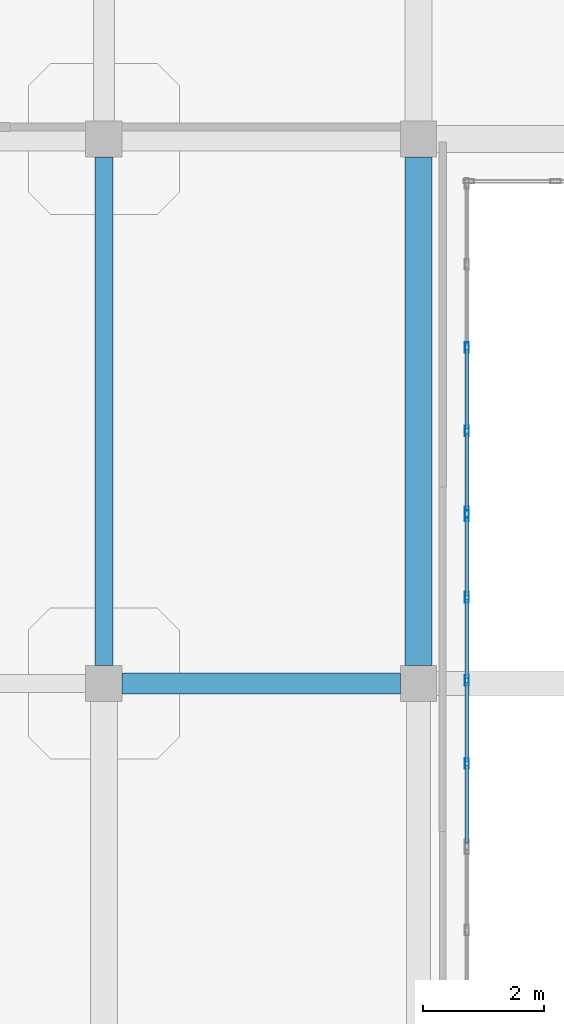
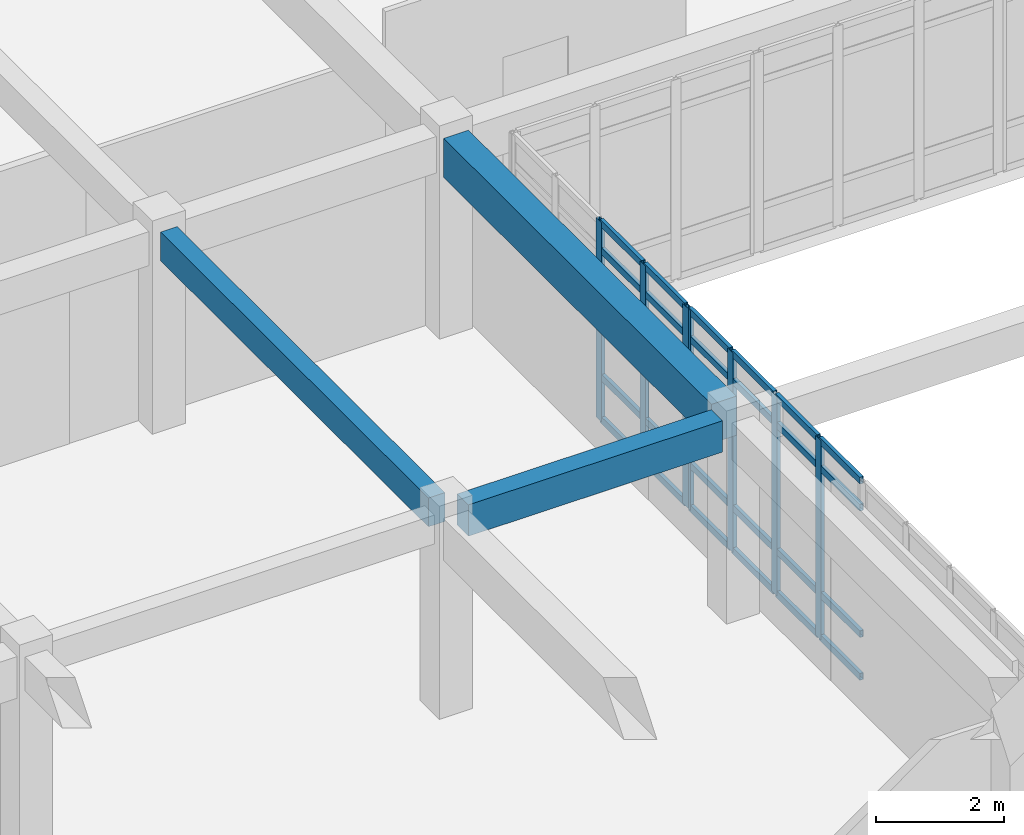
# One storey, part 95 of 146: 31 members, 3 beams, 2 elements without a shape of their own.
"""IFC4 building model written with IfcOpenShell, lengths in metres."""

from ifc_helpers import new_model, si_unit, direction, frame, origin, origin_2d, place, context, subcontext, project, spatial, rectangle, hollow_rectangle, extrude, material, layer, layer_set, material_profile, profile_set, type_object, element, aggregate, save


model = new_model("IFC4")

# Units and contexts
model_context = context("Model", 3, precision=1e-05, world=origin(), true_north=direction((0.0, 1.0)))
body_context = subcontext(model_context, "Body", "Model", "MODEL_VIEW")
ifc_project = project(units=[si_unit("LENGTHUNIT", "METRE"), si_unit("AREAUNIT", "SQUARE_METRE"), si_unit("VOLUMEUNIT", "CUBIC_METRE"), si_unit("PLANEANGLEUNIT", "RADIAN"), si_unit("MASSUNIT", "GRAM", prefix="KILO")], contexts=[model_context])

# Site, building, storey
site_placement = place(None, origin())
site = spatial("IfcSite", under=ifc_project, at=site_placement, CompositionType="ELEMENT")
building_placement = place(site_placement, origin())
building = spatial("IfcBuilding", under=site, at=building_placement, Name="Valcora Specialist Clinic", CompositionType="ELEMENT")
storey_placement = place(building_placement, frame((0.0, 0.0, 9.52001953125)))
storey = spatial("IfcBuildingStorey", under=building, at=storey_placement, Name="L02", CompositionType="ELEMENT", Elevation=9.52001953125)

# Beams
ifc_material_1 = material(Name="Concrete C40/50", Category="concrete")
ifc_material_profile_1 = material_profile(ifc_material_1, rectangle(XDim=0.300048828125, YDim=0.550048828125, at=origin_2d()), Name="RC-BM-300X550")
ifc_profile_set_1 = profile_set([ifc_material_profile_1], Name="Concrete C40/50")
beam_type_1 = type_object("IfcBeamType", Name="TY-BM-RC300X550", PredefinedType="BEAM", material=ifc_profile_set_1)
beam_1_placement = place(storey_placement, frame((106.0, 90.5, 3.544921875), z_axis=(0.0, 1.0, 0.0), x_axis=(-1.0, 0.0, 0.0)))
element("IfcBeam", 1, at=beam_1_placement, inside=storey, type_object=beam_type_1, Name="Beam BM-L02-0755", PredefinedType="BEAM", context=body_context, shape_type="SweptSolid", body=[
    extrude(rectangle(XDim=0.300048828125, YDim=0.550048828125, at=origin_2d()), origin(), (0.0, 0.0, 1.0), 8.39990234375),
])
ifc_material_profile_2 = material_profile(ifc_material_1, rectangle(XDim=0.35009765625, YDim=0.60009765625, at=origin_2d()), Name="RC-BM-350X600")
ifc_profile_set_2 = profile_set([ifc_material_profile_2], Name="Concrete C40/50")
beam_type_2 = type_object("IfcBeamType", Name="TY-BM-RC350X600", PredefinedType="BEAM", material=ifc_profile_set_2)
beam_2_placement = place(storey_placement, frame((106.300048828125, 90.199951171875, 3.52001953125), z_axis=(1.0, 0.0, 0.0), x_axis=(0.0, 1.0, 0.0)))
element("IfcBeam", 2, at=beam_2_placement, inside=storey, type_object=beam_type_2, Name="Beam BM-L02-0716", PredefinedType="BEAM", context=body_context, shape_type="SweptSolid", body=[
    extrude(rectangle(XDim=0.35009765625, YDim=0.60009765625, at=origin_2d()), origin(), (0.0, 0.0, 1.0), 4.599853515625),
])
ifc_material_profile_3 = material_profile(ifc_material_1, rectangle(XDim=0.449951171875, YDim=0.75, at=origin_2d()), Name="RC-BM-450X750")
ifc_profile_set_3 = profile_set([ifc_material_profile_3], Name="Concrete C40/50")
beam_type_3 = type_object("IfcBeamType", Name="TY-BM-RC450X750", PredefinedType="BEAM", material=ifc_profile_set_3)
beam_3_placement = place(storey_placement, frame((111.199951171875, 90.5, 3.445068359375), z_axis=(0.0, 1.0, 0.0), x_axis=(-1.0, 0.0, 0.0)))
element("IfcBeam", 3, at=beam_3_placement, inside=storey, type_object=beam_type_3, Name="Beam BM-L02-0759", PredefinedType="BEAM", context=body_context, shape_type="SweptSolid", body=[
    extrude(rectangle(XDim=0.449951171875, YDim=0.75, at=origin_2d()), origin(), (0.0, 0.0, 1.0), 8.39990234375),
])

# Curtain wall, members
ifc_material_2 = material(Name="Anodized Bronze Aluminium 6063-T6", Category="aluminium")
ifc_layer = layer(ifc_material_2, 0.175048828125)
ifc_layer_set = layer_set([ifc_layer], Name="Anodized Bronze Aluminium 6063-T6")
curtain_wall_type = type_object("IfcCurtainWallType", Name="TY-CW-CRT15", PredefinedType="NOTDEFINED", material=ifc_layer_set)
curtain_wall_1_placement = place(storey_placement, origin())
curtain_wall_1 = element("IfcCurtainWall", 4, at=curtain_wall_1_placement, inside=storey, type_object=curtain_wall_type, Name="Curtain wall CW-L02-114", PredefinedType="NOTDEFINED")
ifc_material_profile_4 = material_profile(ifc_material_2, hollow_rectangle(XDim=0.06494140625, YDim=0.175048828125, WallThickness=0.00390625, at=origin_2d()), Name="AL-MUL-65X175")
ifc_profile_set_4 = profile_set([ifc_material_profile_4], Name="Anodized Bronze Aluminium 6063-T6")
member_type_1 = type_object("IfcMemberType", Name="TY-CWM-65X175", PredefinedType="MULLION", material=ifc_profile_set_4)
member_1_placement = place(storey_placement, frame((112.0, 95.75, 0.0), z_axis=(0.0, 0.0, 1.0), x_axis=(1.0, 0.0, 0.0)))
member_1 = element("IfcMember", 5, at=member_1_placement, type_object=member_type_1, Name="CW-CRT-15 mullion 3", PredefinedType="MULLION", context=body_context, shape_type="SweptSolid", body=[
    extrude(hollow_rectangle(XDim=0.06494140625, YDim=0.175048828125, WallThickness=0.00390625, at=origin_2d()), origin(), (0.0, 0.0, 1.0), 3.820068359375),
])
member_2_placement = place(storey_placement, frame((112.0, 94.375, 0.0), z_axis=(0.0, 0.0, 1.0), x_axis=(1.0, 0.0, 0.0)))
member_2 = element("IfcMember", 6, at=member_2_placement, type_object=member_type_1, Name="CW-CRT-15 mullion 4", PredefinedType="MULLION", context=body_context, shape_type="SweptSolid", body=[
    extrude(hollow_rectangle(XDim=0.06494140625, YDim=0.175048828125, WallThickness=0.00390625, at=origin_2d()), origin(), (0.0, 0.0, 1.0), 3.820068359375),
])
member_3_placement = place(storey_placement, frame((112.0, 93.032470703125, 0.0), z_axis=(0.0, 0.0, 1.0), x_axis=(1.0, 0.0, 0.0)))
member_3 = element("IfcMember", 7, at=member_3_placement, type_object=member_type_1, Name="CW-CRT-15 mullion 5", PredefinedType="MULLION", context=body_context, shape_type="SweptSolid", body=[
    extrude(hollow_rectangle(XDim=0.06494140625, YDim=0.175048828125, WallThickness=0.00390625, at=origin_2d()), origin(), (0.0, 0.0, 1.0), 3.820068359375),
])

curtain_wall_2_placement = place(storey_placement, origin())
curtain_wall_2 = element("IfcCurtainWall", 8, at=curtain_wall_2_placement, inside=storey, type_object=curtain_wall_type, Name="Curtain wall CW-L02-115", PredefinedType="NOTDEFINED")
member_4_placement = place(storey_placement, frame((112.0, 92.967529296875, 0.0), z_axis=(0.0, 0.0, 1.0), x_axis=(1.0, 0.0, 0.0)))
member_4 = element("IfcMember", 9, at=member_4_placement, type_object=member_type_1, Name="CW-CRT-15 mullion 1", PredefinedType="MULLION", context=body_context, shape_type="SweptSolid", body=[
    extrude(hollow_rectangle(XDim=0.06494140625, YDim=0.175048828125, WallThickness=0.00390625, at=origin_2d()), origin(), (0.0, 0.0, 1.0), 3.820068359375),
])
member_5_placement = place(storey_placement, frame((112.0, 91.625, 0.0), z_axis=(0.0, 0.0, 1.0), x_axis=(1.0, 0.0, 0.0)))
member_5 = element("IfcMember", 10, at=member_5_placement, type_object=member_type_1, Name="CW-CRT-15 mullion 2", PredefinedType="MULLION", context=body_context, shape_type="SweptSolid", body=[
    extrude(hollow_rectangle(XDim=0.06494140625, YDim=0.175048828125, WallThickness=0.00390625, at=origin_2d()), origin(), (0.0, 0.0, 1.0), 3.820068359375),
])
member_6_placement = place(storey_placement, frame((112.0, 90.25, 0.0), z_axis=(0.0, 0.0, 1.0), x_axis=(1.0, 0.0, 0.0)))
member_6 = element("IfcMember", 11, at=member_6_placement, type_object=member_type_1, Name="CW-CRT-15 mullion 3", PredefinedType="MULLION", context=body_context, shape_type="SweptSolid", body=[
    extrude(hollow_rectangle(XDim=0.06494140625, YDim=0.175048828125, WallThickness=0.00390625, at=origin_2d()), origin(), (0.0, 0.0, 1.0), 3.820068359375),
])
member_7_placement = place(storey_placement, frame((112.0, 88.875, 0.0), z_axis=(0.0, 0.0, 1.0), x_axis=(1.0, 0.0, 0.0)))
member_7 = element("IfcMember", 12, at=member_7_placement, type_object=member_type_1, Name="CW-CRT-15 mullion 4", PredefinedType="MULLION", context=body_context, shape_type="SweptSolid", body=[
    extrude(hollow_rectangle(XDim=0.06494140625, YDim=0.175048828125, WallThickness=0.00390625, at=origin_2d()), origin(), (0.0, 0.0, 1.0), 3.820068359375),
])

# Member
ifc_material_profile_5 = material_profile(ifc_material_2, hollow_rectangle(XDim=0.06494140625, YDim=0.1298828125, WallThickness=0.00390625, at=origin_2d()), Name="AL-TRN-65X130")
ifc_profile_set_5 = profile_set([ifc_material_profile_5], Name="Anodized Bronze Aluminium 6063-T6")
member_type_2 = type_object("IfcMemberType", Name="TY-CWT-65X130", PredefinedType="USERDEFINED", material=ifc_profile_set_5)
member_8_placement = place(storey_placement, frame((112.0, 95.717529296875, 0.032470703125), z_axis=(0.0, -1.0, 0.0), x_axis=(1.0, 0.0, 0.0)))
member_8 = element("IfcMember", 13, at=member_8_placement, type_object=member_type_2, Name="CW-CRT-15 transom 3.1", ObjectType="TRANSOM", PredefinedType="USERDEFINED", context=body_context, shape_type="SweptSolid", body=[
    extrude(hollow_rectangle(XDim=0.06494140625, YDim=0.1298828125, WallThickness=0.00390625, at=origin_2d()), origin(), (0.0, 0.0, 1.0), 1.31005859375),
])

member_9_placement = place(storey_placement, frame((112.0, 95.717529296875, 0.85009765625), z_axis=(0.0, -1.0, 0.0), x_axis=(1.0, 0.0, 0.0)))
member_9 = element("IfcMember", 14, at=member_9_placement, type_object=member_type_2, Name="CW-CRT-15 transom 3.2", ObjectType="TRANSOM", PredefinedType="USERDEFINED", context=body_context, shape_type="SweptSolid", body=[
    extrude(hollow_rectangle(XDim=0.06494140625, YDim=0.1298828125, WallThickness=0.00390625, at=origin_2d()), origin(), (0.0, 0.0, 1.0), 1.31005859375),
])

member_10_placement = place(storey_placement, frame((112.0, 95.717529296875, 3.27001953125), z_axis=(0.0, -1.0, 0.0), x_axis=(1.0, 0.0, 0.0)))
member_10 = element("IfcMember", 15, at=member_10_placement, type_object=member_type_2, Name="CW-CRT-15 transom 3.3", ObjectType="TRANSOM", PredefinedType="USERDEFINED", context=body_context, shape_type="SweptSolid", body=[
    extrude(hollow_rectangle(XDim=0.06494140625, YDim=0.1298828125, WallThickness=0.00390625, at=origin_2d()), origin(), (0.0, 0.0, 1.0), 1.31005859375),
])

member_11_placement = place(storey_placement, frame((112.0, 95.717529296875, 3.78759765625), z_axis=(0.0, -1.0, 0.0), x_axis=(1.0, 0.0, 0.0)))
member_11 = element("IfcMember", 16, at=member_11_placement, type_object=member_type_2, Name="CW-CRT-15 transom 3.4", ObjectType="TRANSOM", PredefinedType="USERDEFINED", context=body_context, shape_type="SweptSolid", body=[
    extrude(hollow_rectangle(XDim=0.06494140625, YDim=0.1298828125, WallThickness=0.00390625, at=origin_2d()), origin(), (0.0, 0.0, 1.0), 1.31005859375),
])

member_12_placement = place(storey_placement, frame((112.0, 94.342529296875, 0.032470703125), z_axis=(0.0, -1.0, 0.0), x_axis=(1.0, 0.0, 0.0)))
member_12 = element("IfcMember", 17, at=member_12_placement, type_object=member_type_2, Name="CW-CRT-15 transom 4.1", ObjectType="TRANSOM", PredefinedType="USERDEFINED", context=body_context, shape_type="SweptSolid", body=[
    extrude(hollow_rectangle(XDim=0.06494140625, YDim=0.1298828125, WallThickness=0.00390625, at=origin_2d()), origin(), (0.0, 0.0, 1.0), 1.277587890625),
])

member_13_placement = place(storey_placement, frame((112.0, 94.342529296875, 0.85009765625), z_axis=(0.0, -1.0, 0.0), x_axis=(1.0, 0.0, 0.0)))
member_13 = element("IfcMember", 18, at=member_13_placement, type_object=member_type_2, Name="CW-CRT-15 transom 4.2", ObjectType="TRANSOM", PredefinedType="USERDEFINED", context=body_context, shape_type="SweptSolid", body=[
    extrude(hollow_rectangle(XDim=0.06494140625, YDim=0.1298828125, WallThickness=0.00390625, at=origin_2d()), origin(), (0.0, 0.0, 1.0), 1.277587890625),
])

member_14_placement = place(storey_placement, frame((112.0, 94.342529296875, 3.27001953125), z_axis=(0.0, -1.0, 0.0), x_axis=(1.0, 0.0, 0.0)))
member_14 = element("IfcMember", 19, at=member_14_placement, type_object=member_type_2, Name="CW-CRT-15 transom 4.3", ObjectType="TRANSOM", PredefinedType="USERDEFINED", context=body_context, shape_type="SweptSolid", body=[
    extrude(hollow_rectangle(XDim=0.06494140625, YDim=0.1298828125, WallThickness=0.00390625, at=origin_2d()), origin(), (0.0, 0.0, 1.0), 1.277587890625),
])

member_15_placement = place(storey_placement, frame((112.0, 94.342529296875, 3.78759765625), z_axis=(0.0, -1.0, 0.0), x_axis=(1.0, 0.0, 0.0)))
member_15 = element("IfcMember", 20, at=member_15_placement, type_object=member_type_2, Name="CW-CRT-15 transom 4.4", ObjectType="TRANSOM", PredefinedType="USERDEFINED", context=body_context, shape_type="SweptSolid", body=[
    extrude(hollow_rectangle(XDim=0.06494140625, YDim=0.1298828125, WallThickness=0.00390625, at=origin_2d()), origin(), (0.0, 0.0, 1.0), 1.277587890625),
])

aggregate(curtain_wall_1, [member_1, member_2, member_3, member_8, member_9, member_10, member_11, member_12, member_13, member_14, member_15])

member_16_placement = place(storey_placement, frame((112.0, 92.93505859375, 0.032470703125), z_axis=(0.0, -1.0, 0.0), x_axis=(1.0, 0.0, 0.0)))
member_16 = element("IfcMember", 21, at=member_16_placement, type_object=member_type_2, Name="CW-CRT-15 transom 1.1", ObjectType="TRANSOM", PredefinedType="USERDEFINED", context=body_context, shape_type="SweptSolid", body=[
    extrude(hollow_rectangle(XDim=0.06494140625, YDim=0.1298828125, WallThickness=0.00390625, at=origin_2d()), origin(), (0.0, 0.0, 1.0), 1.277587890625),
])

member_17_placement = place(storey_placement, frame((112.0, 92.93505859375, 0.85009765625), z_axis=(0.0, -1.0, 0.0), x_axis=(1.0, 0.0, 0.0)))
member_17 = element("IfcMember", 22, at=member_17_placement, type_object=member_type_2, Name="CW-CRT-15 transom 1.2", ObjectType="TRANSOM", PredefinedType="USERDEFINED", context=body_context, shape_type="SweptSolid", body=[
    extrude(hollow_rectangle(XDim=0.06494140625, YDim=0.1298828125, WallThickness=0.00390625, at=origin_2d()), origin(), (0.0, 0.0, 1.0), 1.277587890625),
])

member_18_placement = place(storey_placement, frame((112.0, 92.93505859375, 3.27001953125), z_axis=(0.0, -1.0, 0.0), x_axis=(1.0, 0.0, 0.0)))
member_18 = element("IfcMember", 23, at=member_18_placement, type_object=member_type_2, Name="CW-CRT-15 transom 1.3", ObjectType="TRANSOM", PredefinedType="USERDEFINED", context=body_context, shape_type="SweptSolid", body=[
    extrude(hollow_rectangle(XDim=0.06494140625, YDim=0.1298828125, WallThickness=0.00390625, at=origin_2d()), origin(), (0.0, 0.0, 1.0), 1.277587890625),
])

member_19_placement = place(storey_placement, frame((112.0, 92.93505859375, 3.78759765625), z_axis=(0.0, -1.0, 0.0), x_axis=(1.0, 0.0, 0.0)))
member_19 = element("IfcMember", 24, at=member_19_placement, type_object=member_type_2, Name="CW-CRT-15 transom 1.4", ObjectType="TRANSOM", PredefinedType="USERDEFINED", context=body_context, shape_type="SweptSolid", body=[
    extrude(hollow_rectangle(XDim=0.06494140625, YDim=0.1298828125, WallThickness=0.00390625, at=origin_2d()), origin(), (0.0, 0.0, 1.0), 1.277587890625),
])

member_20_placement = place(storey_placement, frame((112.0, 91.592529296875, 0.032470703125), z_axis=(0.0, -1.0, 0.0), x_axis=(1.0, 0.0, 0.0)))
member_20 = element("IfcMember", 25, at=member_20_placement, type_object=member_type_2, Name="CW-CRT-15 transom 2.1", ObjectType="TRANSOM", PredefinedType="USERDEFINED", context=body_context, shape_type="SweptSolid", body=[
    extrude(hollow_rectangle(XDim=0.06494140625, YDim=0.1298828125, WallThickness=0.00390625, at=origin_2d()), origin(), (0.0, 0.0, 1.0), 1.31005859375),
])

member_21_placement = place(storey_placement, frame((112.0, 91.592529296875, 0.85009765625), z_axis=(0.0, -1.0, 0.0), x_axis=(1.0, 0.0, 0.0)))
member_21 = element("IfcMember", 26, at=member_21_placement, type_object=member_type_2, Name="CW-CRT-15 transom 2.2", ObjectType="TRANSOM", PredefinedType="USERDEFINED", context=body_context, shape_type="SweptSolid", body=[
    extrude(hollow_rectangle(XDim=0.06494140625, YDim=0.1298828125, WallThickness=0.00390625, at=origin_2d()), origin(), (0.0, 0.0, 1.0), 1.31005859375),
])

member_22_placement = place(storey_placement, frame((112.0, 91.592529296875, 3.27001953125), z_axis=(0.0, -1.0, 0.0), x_axis=(1.0, 0.0, 0.0)))
member_22 = element("IfcMember", 27, at=member_22_placement, type_object=member_type_2, Name="CW-CRT-15 transom 2.3", ObjectType="TRANSOM", PredefinedType="USERDEFINED", context=body_context, shape_type="SweptSolid", body=[
    extrude(hollow_rectangle(XDim=0.06494140625, YDim=0.1298828125, WallThickness=0.00390625, at=origin_2d()), origin(), (0.0, 0.0, 1.0), 1.31005859375),
])

member_23_placement = place(storey_placement, frame((112.0, 91.592529296875, 3.78759765625), z_axis=(0.0, -1.0, 0.0), x_axis=(1.0, 0.0, 0.0)))
member_23 = element("IfcMember", 28, at=member_23_placement, type_object=member_type_2, Name="CW-CRT-15 transom 2.4", ObjectType="TRANSOM", PredefinedType="USERDEFINED", context=body_context, shape_type="SweptSolid", body=[
    extrude(hollow_rectangle(XDim=0.06494140625, YDim=0.1298828125, WallThickness=0.00390625, at=origin_2d()), origin(), (0.0, 0.0, 1.0), 1.31005859375),
])

member_24_placement = place(storey_placement, frame((112.0, 90.217529296875, 0.032470703125), z_axis=(0.0, -1.0, 0.0), x_axis=(1.0, 0.0, 0.0)))
member_24 = element("IfcMember", 29, at=member_24_placement, type_object=member_type_2, Name="CW-CRT-15 transom 3.1", ObjectType="TRANSOM", PredefinedType="USERDEFINED", context=body_context, shape_type="SweptSolid", body=[
    extrude(hollow_rectangle(XDim=0.06494140625, YDim=0.1298828125, WallThickness=0.00390625, at=origin_2d()), origin(), (0.0, 0.0, 1.0), 1.31005859375),
])

member_25_placement = place(storey_placement, frame((112.0, 90.217529296875, 0.85009765625), z_axis=(0.0, -1.0, 0.0), x_axis=(1.0, 0.0, 0.0)))
member_25 = element("IfcMember", 30, at=member_25_placement, type_object=member_type_2, Name="CW-CRT-15 transom 3.2", ObjectType="TRANSOM", PredefinedType="USERDEFINED", context=body_context, shape_type="SweptSolid", body=[
    extrude(hollow_rectangle(XDim=0.06494140625, YDim=0.1298828125, WallThickness=0.00390625, at=origin_2d()), origin(), (0.0, 0.0, 1.0), 1.31005859375),
])

member_26_placement = place(storey_placement, frame((112.0, 90.217529296875, 3.27001953125), z_axis=(0.0, -1.0, 0.0), x_axis=(1.0, 0.0, 0.0)))
member_26 = element("IfcMember", 31, at=member_26_placement, type_object=member_type_2, Name="CW-CRT-15 transom 3.3", ObjectType="TRANSOM", PredefinedType="USERDEFINED", context=body_context, shape_type="SweptSolid", body=[
    extrude(hollow_rectangle(XDim=0.06494140625, YDim=0.1298828125, WallThickness=0.00390625, at=origin_2d()), origin(), (0.0, 0.0, 1.0), 1.31005859375),
])

member_27_placement = place(storey_placement, frame((112.0, 90.217529296875, 3.78759765625), z_axis=(0.0, -1.0, 0.0), x_axis=(1.0, 0.0, 0.0)))
member_27 = element("IfcMember", 32, at=member_27_placement, type_object=member_type_2, Name="CW-CRT-15 transom 3.4", ObjectType="TRANSOM", PredefinedType="USERDEFINED", context=body_context, shape_type="SweptSolid", body=[
    extrude(hollow_rectangle(XDim=0.06494140625, YDim=0.1298828125, WallThickness=0.00390625, at=origin_2d()), origin(), (0.0, 0.0, 1.0), 1.31005859375),
])

member_28_placement = place(storey_placement, frame((112.0, 88.842529296875, 0.032470703125), z_axis=(0.0, -1.0, 0.0), x_axis=(1.0, 0.0, 0.0)))
member_28 = element("IfcMember", 33, at=member_28_placement, type_object=member_type_2, Name="CW-CRT-15 transom 4.1", ObjectType="TRANSOM", PredefinedType="USERDEFINED", context=body_context, shape_type="SweptSolid", body=[
    extrude(hollow_rectangle(XDim=0.06494140625, YDim=0.1298828125, WallThickness=0.00390625, at=origin_2d()), origin(), (0.0, 0.0, 1.0), 1.277587890625),
])

member_29_placement = place(storey_placement, frame((112.0, 88.842529296875, 0.85009765625), z_axis=(0.0, -1.0, 0.0), x_axis=(1.0, 0.0, 0.0)))
member_29 = element("IfcMember", 34, at=member_29_placement, type_object=member_type_2, Name="CW-CRT-15 transom 4.2", ObjectType="TRANSOM", PredefinedType="USERDEFINED", context=body_context, shape_type="SweptSolid", body=[
    extrude(hollow_rectangle(XDim=0.06494140625, YDim=0.1298828125, WallThickness=0.00390625, at=origin_2d()), origin(), (0.0, 0.0, 1.0), 1.277587890625),
])

member_30_placement = place(storey_placement, frame((112.0, 88.842529296875, 3.27001953125), z_axis=(0.0, -1.0, 0.0), x_axis=(1.0, 0.0, 0.0)))
member_30 = element("IfcMember", 35, at=member_30_placement, type_object=member_type_2, Name="CW-CRT-15 transom 4.3", ObjectType="TRANSOM", PredefinedType="USERDEFINED", context=body_context, shape_type="SweptSolid", body=[
    extrude(hollow_rectangle(XDim=0.06494140625, YDim=0.1298828125, WallThickness=0.00390625, at=origin_2d()), origin(), (0.0, 0.0, 1.0), 1.277587890625),
])

member_31_placement = place(storey_placement, frame((112.0, 88.842529296875, 3.78759765625), z_axis=(0.0, -1.0, 0.0), x_axis=(1.0, 0.0, 0.0)))
member_31 = element("IfcMember", 36, at=member_31_placement, type_object=member_type_2, Name="CW-CRT-15 transom 4.4", ObjectType="TRANSOM", PredefinedType="USERDEFINED", context=body_context, shape_type="SweptSolid", body=[
    extrude(hollow_rectangle(XDim=0.06494140625, YDim=0.1298828125, WallThickness=0.00390625, at=origin_2d()), origin(), (0.0, 0.0, 1.0), 1.277587890625),
])

aggregate(curtain_wall_2, [member_4, member_5, member_6, member_7, member_16, member_17, member_18, member_19, member_20, member_21, member_22, member_23, member_24, member_25, member_26, member_27, member_28, member_29, member_30, member_31])

save(model, "model.ifc")
